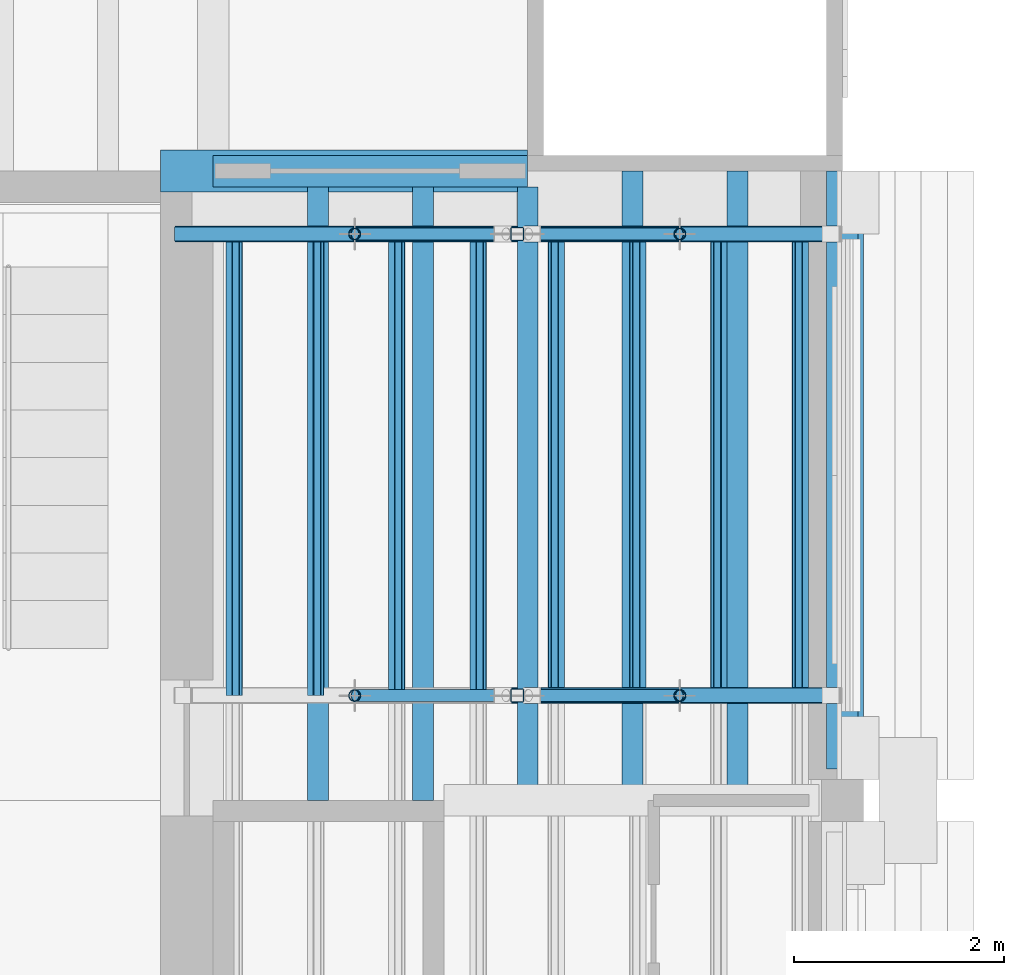
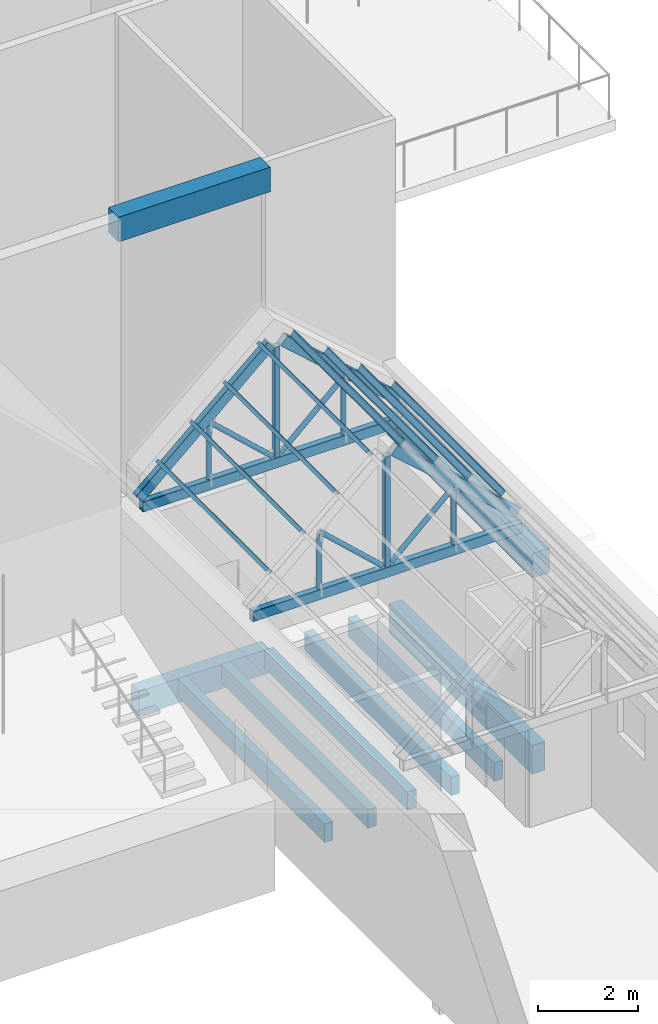
# One storey, part 46 of 118: 23 members, 9 beams.
"""IFC4 building model written with IfcOpenShell, lengths in metres."""

from ifc_helpers import new_model, si_unit, direction, frame, origin, origin_2d, place, context, subcontext, project, spatial, rectangle, hollow_rectangle, hollow_circle, i_section, extrude, material, material_profile, profile_set, type_object, element, save


model = new_model("IFC4")

# Units and contexts
model_context = context("Model", 3, precision=1e-05, world=origin(), true_north=direction((0.0, 1.0)))
body_context = subcontext(model_context, "Body", "Model", "MODEL_VIEW")
ifc_project = project(units=[si_unit("LENGTHUNIT", "METRE"), si_unit("AREAUNIT", "SQUARE_METRE"), si_unit("VOLUMEUNIT", "CUBIC_METRE"), si_unit("PLANEANGLEUNIT", "RADIAN"), si_unit("MASSUNIT", "GRAM", prefix="KILO")], contexts=[model_context])

# Site, building, storey
site_placement = place(None, origin())
site = spatial("IfcSite", under=ifc_project, at=site_placement, CompositionType="ELEMENT")
building_placement = place(site_placement, origin())
building = spatial("IfcBuilding", under=site, at=building_placement, Name="Saffron Lane Theatres", CompositionType="ELEMENT")
storey_placement = place(building_placement, frame((0.0, 0.0, 16.5)))
storey = spatial("IfcBuildingStorey", under=building, at=storey_placement, Name="L03", CompositionType="ELEMENT", Elevation=16.5)

# Beams
ifc_material_1 = material(Name="Concrete N40 (40 MPa)", Category="concrete")
ifc_material_profile_1 = material_profile(ifc_material_1, rectangle(XDim=0.300048828125, YDim=0.60009765625, at=origin_2d()))
ifc_profile_set_1 = profile_set([ifc_material_profile_1], Name="Concrete N40 (40 MPa)")
beam_type_1 = type_object("IfcBeamType", Name="RC-BEAM 300x600", PredefinedType="BEAM", material=ifc_profile_set_1)
beam_1_placement = place(storey_placement, frame((48.0, 90.0, -0.550048828125), z_axis=(1.0, 0.0, 0.0), x_axis=(0.0, 1.0, 0.0)))
element("IfcBeam", 1, at=beam_1_placement, inside=storey, type_object=beam_type_1, Name="beam-L03-x900-480", PredefinedType="BEAM", context=body_context, shape_type="SweptSolid", body=[
    extrude(rectangle(XDim=0.300048828125, YDim=0.60009765625, at=origin_2d()), origin(), (0.0, 0.0, 1.0), 3.0),
])
ifc_material_2 = material(Name="Concrete N40 (40 MPa)", Category="concrete")
ifc_material_profile_2 = material_profile(ifc_material_2, rectangle(XDim=0.300048828125, YDim=0.699951171875, at=origin_2d()))
ifc_profile_set_2 = profile_set([ifc_material_profile_2], Name="Concrete N40 (40 MPa)")
beam_type_2 = type_object("IfcBeamType", Name="RC-BEAM 300x700", PredefinedType="BEAM", material=ifc_profile_set_2)
beam_2_placement = place(storey_placement, frame((54.0, 84.300048828125, -0.60009765625), z_axis=(0.0, 1.0, 0.0), x_axis=(-1.0, 0.0, 0.0)))
element("IfcBeam", 2, at=beam_2_placement, inside=storey, type_object=beam_type_2, Name="beam-L03-y540-843", PredefinedType="BEAM", context=body_context, shape_type="SweptSolid", body=[
    extrude(rectangle(XDim=0.300048828125, YDim=0.699951171875, at=origin_2d()), origin(), (0.0, 0.0, 1.0), 5.699951171875),
])
ifc_material_3 = material(Name="Concrete N40 (40 MPa)", Category="concrete")
ifc_material_profile_3 = material_profile(ifc_material_3, rectangle(XDim=0.39990234375, YDim=0.60009765625, at=origin_2d()))
ifc_profile_set_3 = profile_set([ifc_material_profile_3], Name="Concrete N40 (40 MPa)")
beam_type_3 = type_object("IfcBeamType", Name="RC-BEAM 400x600", PredefinedType="BEAM", material=ifc_profile_set_3)
beam_3_placement = place(storey_placement, frame((47.5, 90.0, 11.199951171875), z_axis=(1.0, 0.0, 0.0), x_axis=(0.0, 1.0, 0.0)))
element("IfcBeam", 3, at=beam_3_placement, inside=storey, type_object=beam_type_3, Name="beam-roof-brick-x900-2", PredefinedType="BEAM", context=body_context, shape_type="SweptSolid", body=[
    extrude(rectangle(XDim=0.39990234375, YDim=0.60009765625, at=origin_2d()), origin(), (0.0, 0.0, 1.0), 3.5),
])
beam_4_placement = place(storey_placement, frame((54.0, 84.199951171875, 4.199951171875), z_axis=(0.0, 1.0, 0.0), x_axis=(-1.0, 0.0, 0.0)))
element("IfcBeam", 4, at=beam_4_placement, inside=storey, type_object=beam_type_3, Name="beam-roof-side-y540-12", PredefinedType="BEAM", context=body_context, shape_type="SweptSolid", body=[
    extrude(rectangle(XDim=0.39990234375, YDim=0.60009765625, at=origin_2d()), origin(), (0.0, 0.0, 1.0), 5.800048828125),
])
ifc_material_4 = material(Name="Concrete N40 (40 MPa)", Category="concrete")
ifc_material_profile_4 = material_profile(ifc_material_4, rectangle(XDim=0.199951171875, YDim=0.449951171875, at=origin_2d()))
ifc_profile_set_4 = profile_set([ifc_material_profile_4], Name="Concrete N40 (40 MPa)")
beam_type_4 = type_object("IfcBeamType", Name="RC-JOIST 200x450", PredefinedType="JOIST", material=ifc_profile_set_4)
for number, where, z_axis, x_axis, name in (
    (5, (49.0, 84.0, -0.47509765625), (0.0, 1.0, 0.0), (-1.0, 0.0, 0.0), "joist-L03-y4900-840"),
    (6, (50.0, 84.0, -0.47509765625), (0.0, 1.0, 0.0), (-1.0, 0.0, 0.0), "joist-L03-y5000-840"),
):
    element("IfcBeam", number, at=place(storey_placement, frame(where, z_axis=z_axis, x_axis=x_axis)), inside=storey, type_object=beam_type_4, Name=name, PredefinedType="JOIST", context=body_context, shape_type="SweptSolid", body=[
        extrude(rectangle(XDim=0.199951171875, YDim=0.449951171875, at=origin_2d()), origin(), (0.0, 0.0, 1.0), 5.85009765625),
    ])
beam_5_placement = place(storey_placement, frame((51.0, 84.14990234375, -0.47509765625), z_axis=(0.0, 1.0, 0.0), x_axis=(-1.0, 0.0, 0.0)))
element("IfcBeam", 7, at=beam_5_placement, inside=storey, type_object=beam_type_4, Name="joist-L03-y5100-842", PredefinedType="JOIST", context=body_context, shape_type="SweptSolid", body=[
    extrude(rectangle(XDim=0.199951171875, YDim=0.449951171875, at=origin_2d()), origin(), (0.0, 0.0, 1.0), 5.7001953125),
])
for number, where, z_axis, x_axis, name in (
    (8, (52.0, 84.14990234375, -0.47509765625), (0.0, 1.0, 0.0), (-1.0, 0.0, 0.0), "joist-L03-y5200-842"),
    (9, (53.0, 84.14990234375, -0.47509765625), (0.0, 1.0, 0.0), (-1.0, 0.0, 0.0), "joist-L03-y5300-842"),
):
    element("IfcBeam", number, at=place(storey_placement, frame(where, z_axis=z_axis, x_axis=x_axis)), inside=storey, type_object=beam_type_4, Name=name, PredefinedType="JOIST", context=body_context, shape_type="SweptSolid", body=[
        extrude(rectangle(XDim=0.199951171875, YDim=0.449951171875, at=origin_2d()), origin(), (0.0, 0.0, 1.0), 5.85009765625),
    ])

# Members
ifc_material_5 = material(Name="Steel Grade 350", Category="steel")
ifc_material_profile_5 = material_profile(ifc_material_5, hollow_rectangle(XDim=0.125, YDim=0.125, WallThickness=0.006103515625, InnerFilletRadius=0.0029296875, OuterFilletRadius=0.009033203125, at=origin_2d()))
ifc_profile_set_5 = profile_set([ifc_material_profile_5], Name="Steel Grade 350")
member_type_1 = type_object("IfcMemberType", Name="ST-STUDIO POST 125x125x6 SHS", PredefinedType="POST", material=ifc_profile_set_5)
for number, where, z_axis, x_axis, name in (
    (10, (50.89990234375, 85.0, 4.75), (0.0, 0.0, 1.0), (1.0, 0.0, 0.0), "SB2-P44"),
    (11, (50.89990234375, 89.39990234375, 4.75), (0.0, 0.0, 1.0), (1.0, 0.0, 0.0), "SB2-P52"),
):
    element("IfcMember", number, at=place(storey_placement, frame(where, z_axis=z_axis, x_axis=x_axis)), inside=storey, type_object=member_type_1, Name=name, PredefinedType="POST", context=body_context, shape_type="SweptSolid", body=[
        extrude(hollow_rectangle(XDim=0.125, YDim=0.125, WallThickness=0.006103515625, InnerFilletRadius=0.0029296875, OuterFilletRadius=0.009033203125, at=origin_2d()), origin(), (0.0, 0.0, 1.0), 2.69287109375),
    ])
ifc_material_6 = material(Name="Steel Grade 350", Category="steel")
ifc_material_profile_6 = material_profile(ifc_material_6, i_section(OverallWidth=0.074951171875, OverallDepth=0.155029296875, WebThickness=0.006103515625, FlangeThickness=0.009521484375, FilletRadius=0.008056640625, at=origin_2d()))
ifc_profile_set_6 = profile_set([ifc_material_profile_6], Name="Steel Grade 350")
member_type_2 = type_object("IfcMemberType", Name="ST-STUDIO PURLIN 150UB18.0", PredefinedType="PURLIN", material=ifc_profile_set_6)
for number, where, z_axis, x_axis, name in (
    (12, (53.59716796875, 85.0, 5.544677734375), (0.0, 1.0, 0.0), (-0.748268687469, 0.0, 0.663395787863), "SB2-U62"),
    (13, (52.822265625, 85.0, 6.23193359375), (0.0, 1.0, 0.0), (-0.748268687469, 0.0, 0.663395787863), "SB2-U68"),
    (14, (52.04736328125, 85.0, 6.9189453125), (0.0, 1.0, 0.0), (-0.748268687469, 0.0, 0.663395787863), "SB2-U74"),
    (15, (51.272216796875, 85.0, 7.60595703125), (0.0, 1.0, 0.0), (-0.748268687469, 0.0, 0.663395787863), "SB2-U80"),
    (16, (48.20263671875, 85.0, 5.544677734375), (0.0, 1.0, 0.0), (-0.748268687469, 0.0, -0.663395787863), "SB2-U86"),
    (17, (48.977783203125, 85.0, 6.23193359375), (0.0, 1.0, 0.0), (-0.748268687469, 0.0, -0.663395787863), "SB2-U92"),
    (18, (49.752685546875, 85.0, 6.9189453125), (0.0, 1.0, 0.0), (-0.748268687469, 0.0, -0.663395787863), "SB2-U98"),
    (19, (50.52783203125, 85.0, 7.60595703125), (0.0, 1.0, 0.0), (-0.748268687469, 0.0, -0.663395787863), "SB2-U104"),
):
    element("IfcMember", number, at=place(storey_placement, frame(where, z_axis=z_axis, x_axis=x_axis)), inside=storey, type_object=member_type_2, Name=name, PredefinedType="PURLIN", context=body_context, shape_type="SweptSolid", body=[
        extrude(i_section(OverallWidth=0.074951171875, OverallDepth=0.155029296875, WebThickness=0.006103515625, FlangeThickness=0.009521484375, FilletRadius=0.008056640625, at=origin_2d()), origin(), (0.0, 0.0, 1.0), 4.39990234375),
    ])
ifc_material_7 = material(Name="Steel Grade 350", Category="steel")
ifc_material_profile_7 = material_profile(ifc_material_7, hollow_rectangle(XDim=0.14990234375, YDim=0.25, WallThickness=0.009033203125, InnerFilletRadius=0.00439453125, OuterFilletRadius=0.013427734375, at=origin_2d()))
ifc_profile_set_7 = profile_set([ifc_material_profile_7], Name="Steel Grade 350")
member_type_3 = type_object("IfcMemberType", Name="ST-STUDIO TRUSS CHORD 250x150x9 RHS", PredefinedType="CHORD", material=ifc_profile_set_7)
member_1_placement = place(storey_placement, frame((53.97998046875, 85.0, 4.625), z_axis=(-1.0, 0.0, 0.0), x_axis=(0.0, -1.0, 0.0)))
element("IfcMember", 20, at=member_1_placement, inside=storey, type_object=member_type_3, Name="SB2-T41", PredefinedType="CHORD", context=body_context, shape_type="SweptSolid", body=[
    extrude(hollow_rectangle(XDim=0.14990234375, YDim=0.25, WallThickness=0.009033203125, InnerFilletRadius=0.00439453125, OuterFilletRadius=0.013427734375, at=origin_2d()), origin(), (0.0, 0.0, 1.0), 6.179931640625),
])
member_2_placement = place(storey_placement, frame((53.886962890625, 85.0, 5.01708984375), z_axis=(-0.748231613734, 0.0, 0.663437602348), x_axis=(0.0, -1.0, 0.0)))
element("IfcMember", 21, at=member_2_placement, inside=storey, type_object=member_type_3, Name="SB2-C42", PredefinedType="CHORD", context=body_context, shape_type="SweptSolid", body=[
    extrude(hollow_rectangle(XDim=0.14990234375, YDim=0.25, WallThickness=0.009033203125, InnerFilletRadius=0.00439453125, OuterFilletRadius=0.013427734375, at=origin_2d()), origin(), (0.0, 0.0, 1.0), 3.797607421875),
])
member_3_placement = place(storey_placement, frame((53.97998046875, 89.39990234375, 4.625), z_axis=(-1.0, 0.0, 0.0), x_axis=(0.0, -1.0, 0.0)))
element("IfcMember", 22, at=member_3_placement, inside=storey, type_object=member_type_3, Name="SB2-T49", PredefinedType="CHORD", context=body_context, shape_type="SweptSolid", body=[
    extrude(hollow_rectangle(XDim=0.14990234375, YDim=0.25, WallThickness=0.009033203125, InnerFilletRadius=0.00439453125, OuterFilletRadius=0.013427734375, at=origin_2d()), origin(), (0.0, 0.0, 1.0), 6.179931640625),
])
member_4_placement = place(storey_placement, frame((53.886962890625, 89.39990234375, 5.01708984375), z_axis=(-0.748231613734, 0.0, 0.663437602348), x_axis=(0.0, -1.0, 0.0)))
element("IfcMember", 23, at=member_4_placement, inside=storey, type_object=member_type_3, Name="SB2-C50", PredefinedType="CHORD", context=body_context, shape_type="SweptSolid", body=[
    extrude(hollow_rectangle(XDim=0.14990234375, YDim=0.25, WallThickness=0.009033203125, InnerFilletRadius=0.00439453125, OuterFilletRadius=0.013427734375, at=origin_2d()), origin(), (0.0, 0.0, 1.0), 3.797607421875),
])
member_5_placement = place(storey_placement, frame((47.717041015625, 89.39990234375, 4.843505859375), z_axis=(0.748261446236, 0.0, 0.663403955428), x_axis=(0.0, 1.0, 0.0)))
element("IfcMember", 24, at=member_5_placement, inside=storey, type_object=member_type_3, Name="SB2-C51", PredefinedType="CHORD", context=body_context, shape_type="SweptSolid", body=[
    extrude(hollow_rectangle(XDim=0.14990234375, YDim=0.25, WallThickness=0.009033203125, InnerFilletRadius=0.00439453125, OuterFilletRadius=0.013427734375, at=origin_2d()), origin(), (0.0, 0.0, 1.0), 4.0595703125),
])
ifc_material_8 = material(Name="Steel Grade 350", Category="steel")
ifc_material_profile_8 = material_profile(ifc_material_8, hollow_circle(Radius=0.05712890625, WallThickness=0.006103515625, at=origin_2d()))
ifc_profile_set_8 = profile_set([ifc_material_profile_8], Name="Steel Grade 350")
member_type_4 = type_object("IfcMemberType", Name="ST-STUDIO TRUSS WEB 114.3x6.0 CHS", PredefinedType="BRACE", material=ifc_profile_set_8)
for number, where, z_axis, x_axis, name in (
    (25, (52.449951171875, 85.0, 4.75), (0.0, 0.0, 1.0), (1.0, 0.0, 0.0), "SB2-W45"),
    (26, (49.35009765625, 85.0, 4.75), (0.0, 0.0, 1.0), (1.0, 0.0, 0.0), "SB2-W46"),
):
    element("IfcMember", number, at=place(storey_placement, frame(where, z_axis=z_axis, x_axis=x_axis)), inside=storey, type_object=member_type_4, Name=name, PredefinedType="BRACE", context=body_context, shape_type="SweptSolid", body=[
        extrude(hollow_circle(Radius=0.05712890625, WallThickness=0.006103515625, at=origin_2d()), origin(), (0.0, 0.0, 1.0), 1.323486328125),
    ])
for number, where, z_axis, x_axis, name in (
    (27, (51.008056640625, 85.0, 4.7919921875), (0.734492556675, 0.0, 0.678616743228), (0.0, 1.0, 0.0), "SB2-W47"),
    (28, (50.7919921875, 85.0, 4.7919921875), (-0.734492556675, 0.0, 0.678616743228), (0.0, -1.0, 0.0), "SB2-W48"),
):
    element("IfcMember", number, at=place(storey_placement, frame(where, z_axis=z_axis, x_axis=x_axis)), inside=storey, type_object=member_type_4, Name=name, PredefinedType="BRACE", context=body_context, shape_type="SweptSolid", body=[
        extrude(hollow_circle(Radius=0.05712890625, WallThickness=0.006103515625, at=origin_2d()), origin(), (0.0, 0.0, 1.0), 1.95751953125),
    ])
for number, where, z_axis, x_axis, name in (
    (29, (52.449951171875, 89.39990234375, 4.75), (0.0, 0.0, 1.0), (1.0, 0.0, 0.0), "SB2-W53"),
    (30, (49.35009765625, 89.39990234375, 4.75), (0.0, 0.0, 1.0), (1.0, 0.0, 0.0), "SB2-W54"),
):
    element("IfcMember", number, at=place(storey_placement, frame(where, z_axis=z_axis, x_axis=x_axis)), inside=storey, type_object=member_type_4, Name=name, PredefinedType="BRACE", context=body_context, shape_type="SweptSolid", body=[
        extrude(hollow_circle(Radius=0.05712890625, WallThickness=0.006103515625, at=origin_2d()), origin(), (0.0, 0.0, 1.0), 1.323486328125),
    ])
for number, where, z_axis, x_axis, name in (
    (31, (51.008056640625, 89.39990234375, 4.7919921875), (0.734492556675, 0.0, 0.678616743228), (0.0, 1.0, 0.0), "SB2-W55"),
    (32, (50.7919921875, 89.39990234375, 4.7919921875), (-0.734492556675, 0.0, 0.678616743228), (0.0, -1.0, 0.0), "SB2-W56"),
):
    element("IfcMember", number, at=place(storey_placement, frame(where, z_axis=z_axis, x_axis=x_axis)), inside=storey, type_object=member_type_4, Name=name, PredefinedType="BRACE", context=body_context, shape_type="SweptSolid", body=[
        extrude(hollow_circle(Radius=0.05712890625, WallThickness=0.006103515625, at=origin_2d()), origin(), (0.0, 0.0, 1.0), 1.95751953125),
    ])

save(model, "model.ifc")
